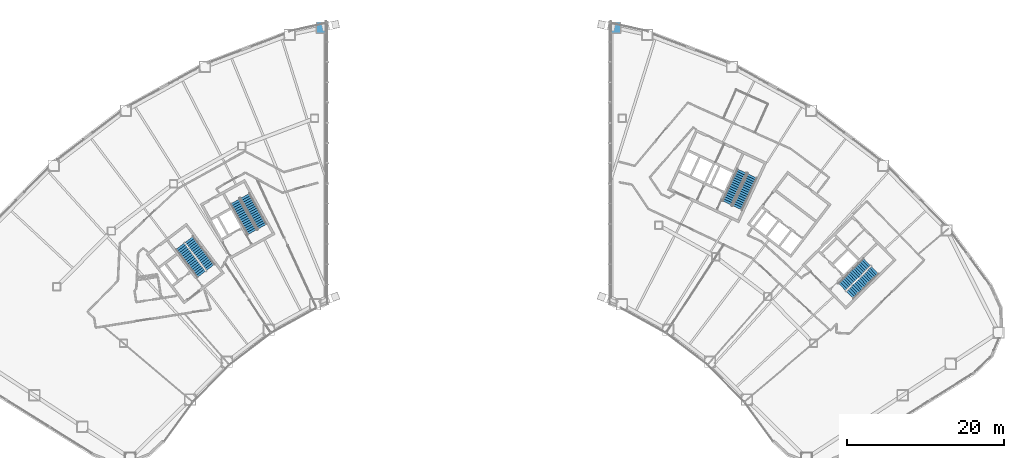
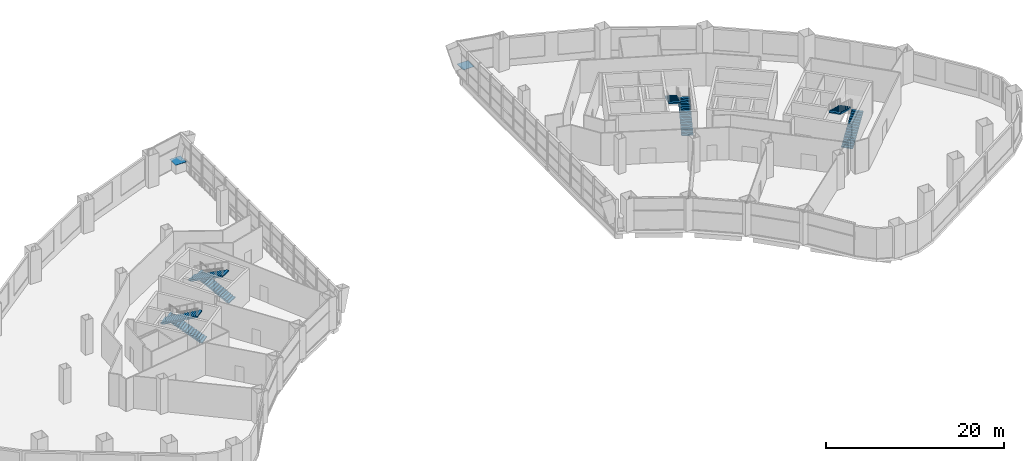
# One storey, part 24 of 26: 8 stair flights, 2 discrete accessories, 4 elements without a shape of their own.
"""IFC4 building model written with IfcOpenShell, lengths in metres."""

import ifcopenshell
import ifcopenshell.guid

model = None  # the IFC model being written
_history = None  # IfcOwnerHistory: only IFC2X3 demands one
_inside = {}  # id of a spatial element -> (the spatial element, [elements in it])
_under = {}  # id of a project, library or spatial element -> (it, [spatial elements below it])
_declared = {}  # id of a project -> (the project, [libraries it declares])
_typed = {}  # id of a type object -> (the type object, [elements of that type])
_made_of = {}  # id of a material, layer set ... -> (it, [elements and type objects made of it])


def new_model(schema):
    """Start an empty IFC model of exactly this schema.

    Asked for "IFC4X3", IfcOpenShell would pick the latest addendum, in which some entities
    have other attributes; the version numbers below select the first issue.
    IFC2X3 requires an IfcOwnerHistory on every rooted entity: one is made here for all.
    """
    global model, _history
    if schema == "IFC4X3":
        model = ifcopenshell.file(schema_version=(4, 3, 0, 0))
    else:
        model = ifcopenshell.file(schema=schema)
    _inside.clear()
    _under.clear()
    _declared.clear()
    _typed.clear()
    _made_of.clear()
    _history = None
    if model.schema == "IFC2X3":
        org = make("IfcOrganization", Name="unknown")
        user = make(
            "IfcPersonAndOrganization",
            ThePerson=make("IfcPerson", FamilyName="unknown"),
            TheOrganization=org,
        )
        app = make(
            "IfcApplication",
            ApplicationDeveloper=org,
            Version="unknown",
            ApplicationFullName="unknown",
            ApplicationIdentifier="unknown",
        )
        _history = make(
            "IfcOwnerHistory",
            OwningUser=user,
            OwningApplication=app,
            ChangeAction="ADDED",
            CreationDate=0,
        )
    return model


def make(cls, **values):
    """One entity of the class cls with the attributes given. An attribute that is None is left unset."""
    return model.create_entity(
        cls, **{name: value for name, value in values.items() if value is not None}
    )


def rooted(cls, **values):
    """An entity with a GlobalId (a new one), such as an element, a storey or a relation."""
    return make(cls, GlobalId=ifcopenshell.guid.new(), OwnerHistory=_history, **values)


def si_unit(unit_type, name, prefix=None):
    """IfcSIUnit, for example si_unit("LENGTHUNIT", "METRE", prefix="MILLI")."""
    return make("IfcSIUnit", UnitType=unit_type, Prefix=prefix, Name=name)


def assignment(units):
    """IfcUnitAssignment: the units of a project."""
    return None if units is None else make("IfcUnitAssignment", Units=units)


def point(xyz):
    """IfcCartesianPoint."""
    return None if xyz is None else make("IfcCartesianPoint", Coordinates=xyz)


def direction(xyz):
    """IfcDirection."""
    return None if xyz is None else make("IfcDirection", DirectionRatios=xyz)


def frame(location, z_axis=None, x_axis=None):
    """IfcAxis2Placement3D, a coordinate frame: its origin and axes. An axis left out is left unset."""
    return make(
        "IfcAxis2Placement3D",
        Location=point(location),
        Axis=direction(z_axis),
        RefDirection=direction(x_axis),
    )


def frame_2d(location, x_axis=None):
    """IfcAxis2Placement2D, a coordinate frame in the plane: its origin and x axis."""
    return make(
        "IfcAxis2Placement2D", Location=point(location), RefDirection=direction(x_axis)
    )


def origin():
    """The frame at (0, 0, 0) with its axes left unset."""
    return frame((0.0, 0.0, 0.0))


def origin_2d():
    """The frame at (0, 0) in the plane with its x axis left unset."""
    return frame_2d((0.0, 0.0))


def place(relative_to, where):
    """IfcLocalPlacement: puts the frame where relative to a parent placement (None: the world)."""
    return make(
        "IfcLocalPlacement", PlacementRelTo=relative_to, RelativePlacement=where
    )


def context(
    kind, dimensions, precision=None, world=None, true_north=None, identifier=None
):
    """IfcGeometricRepresentationContext, for example the 3D "Model" context."""
    return make(
        "IfcGeometricRepresentationContext",
        ContextIdentifier=identifier,
        ContextType=kind,
        CoordinateSpaceDimension=dimensions,
        Precision=precision,
        WorldCoordinateSystem=world,
        TrueNorth=true_north,
    )


def subcontext(parent, identifier, kind, view, scale=None):
    """IfcGeometricRepresentationSubContext, for example "Body" below "Model"."""
    return make(
        "IfcGeometricRepresentationSubContext",
        ContextIdentifier=identifier,
        ContextType=kind,
        ParentContext=parent,
        TargetScale=scale,
        TargetView=view,
    )


def project(units=None, contexts=None):
    """IfcProject with its units and contexts."""
    return rooted(
        "IfcProject",
        Name="project",
        RepresentationContexts=contexts,
        UnitsInContext=assignment(units),
    )


def spatial(cls, under=None, at=None, **own):
    """A site, building, storey or space (cls), placed at a placement, below another one or the project."""
    s = rooted(cls, ObjectPlacement=at, **own)
    if under is not None:
        _under.setdefault(under.id(), (under, []))[1].append(s)
    return s


def polyline(points):
    """IfcPolyline through the points."""
    return make("IfcPolyline", Points=[point(p) for p in points])


def profile(cls, at=None, kind="AREA", **sizes):
    """A parametric profile (cls). Its sizes go by their IFC names, for example OverallWidth=200.0."""
    return make(cls, ProfileType=kind, Position=at, **sizes)


def rectangle(**sizes):
    """IfcRectangleProfileDef."""
    return profile("IfcRectangleProfileDef", **sizes)


def outline(outer, holes=None, kind="AREA"):
    """IfcArbitraryClosedProfileDef: a profile drawn as a closed curve; with holes, ...WithVoids."""
    if holes is None:
        return make("IfcArbitraryClosedProfileDef", ProfileType=kind, OuterCurve=outer)
    return make(
        "IfcArbitraryProfileDefWithVoids",
        ProfileType=kind,
        OuterCurve=outer,
        InnerCurves=holes,
    )


def extrude(swept, where, along, depth):
    """IfcExtrudedAreaSolid: the profile swept, set in the frame where, extruded along a direction by depth."""
    return make(
        "IfcExtrudedAreaSolid",
        SweptArea=swept,
        Position=where,
        ExtrudedDirection=direction(along),
        Depth=depth,
    )


def shape(context_of_items, identifier, shape_type, items):
    """IfcShapeRepresentation: the items that make up one representation, for example the "Body"."""
    return make(
        "IfcShapeRepresentation",
        ContextOfItems=context_of_items,
        RepresentationIdentifier=identifier,
        RepresentationType=shape_type,
        Items=items,
    )


def material(Name=None, Category=None):
    """IfcMaterial."""
    return make("IfcMaterial", Name=Name, Category=Category)


def made_of(thing, what):
    """Note that an element or type object is made of a material, layer set ...; save() writes the relation."""
    if what is not None:
        _made_of.setdefault(what.id(), (what, []))[1].append(thing)
    return thing


def type_object(cls, material=None, **own):
    """A type object (cls), such as IfcWallType, which elements share."""
    return made_of(rooted(cls, **own), material)


def element(
    cls,
    number,
    at=None,
    inside=None,
    cuts=None,
    type_object=None,
    material=None,
    context=None,
    identifier="Body",
    shape_type=None,
    held_by="IfcProductDefinitionShape",
    body=None,
    shapes=None,
    **own,
):
    """One element of the class cls, such as IfcWall. Its Tag is "e" and its number.

    at: its placement. inside: the storey or other place that contains it. cuts: it is an
    opening in that element (IfcRelVoidsElement). A single representation is given by context,
    identifier, shape_type and body (its items); several are given by shapes. held_by: the class
    of the entity that holds the representations. save() writes the other relations.
    """
    e = rooted(cls, Tag="e%d" % number, ObjectPlacement=at, **own)
    if body is not None:
        shapes = [shape(context, identifier, shape_type, body)]
    if shapes is not None:
        e.Representation = make(held_by, Representations=shapes)
    if inside is not None:
        _inside.setdefault(inside.id(), (inside, []))[1].append(e)
    if cuts is not None:
        rooted(
            "IfcRelVoidsElement", RelatingBuildingElement=cuts, RelatedOpeningElement=e
        )
    if type_object is not None:
        _typed.setdefault(type_object.id(), (type_object, []))[1].append(e)
    return made_of(e, material)


def aggregate(whole, parts):
    """IfcRelAggregates: a whole, such as a stair, and the parts it consists of."""
    return rooted("IfcRelAggregates", RelatingObject=whole, RelatedObjects=parts)


def save(model, path):
    """Write the relations noted so far, then the file.

    IfcRelAggregates (storeys below a building ...), IfcRelContainedInSpatialStructure (elements
    in a storey), IfcRelDefinesByType, IfcRelAssociatesMaterial and IfcRelDeclares: one each for
    every whole, place, type object, material and project.
    """
    for whole, parts in _under.values():
        aggregate(whole, parts)
    for where, things in _inside.values():
        rooted(
            "IfcRelContainedInSpatialStructure",
            RelatedElements=things,
            RelatingStructure=where,
        )
    for kind, things in _typed.values():
        rooted("IfcRelDefinesByType", RelatedObjects=things, RelatingType=kind)
    for what, things in _made_of.values():
        rooted("IfcRelAssociatesMaterial", RelatedObjects=things, RelatingMaterial=what)
    for by, libraries in _declared.values():
        rooted("IfcRelDeclares", RelatingContext=by, RelatedDefinitions=libraries)
    model.write(path)


model = new_model("IFC4")

# Units and contexts
model_context = context("Model", 3, precision=1e-05, world=origin(), true_north=direction((0.0, 1.0)))
body_context = subcontext(model_context, "Body", "Model", "MODEL_VIEW")
ifc_project = project(units=[si_unit("LENGTHUNIT", "METRE"), si_unit("AREAUNIT", "SQUARE_METRE"), si_unit("VOLUMEUNIT", "CUBIC_METRE"), si_unit("PLANEANGLEUNIT", "RADIAN"), si_unit("MASSUNIT", "GRAM", prefix="KILO")], contexts=[model_context])

# Site, building, storey
site_placement = place(None, origin())
site = spatial("IfcSite", under=ifc_project, at=site_placement, CompositionType="ELEMENT")
building_placement = place(site_placement, origin())
building = spatial("IfcBuilding", under=site, at=building_placement, Name="Tuul Gate Civic Tower", CompositionType="ELEMENT")
storey_placement = place(building_placement, frame((0.0, 0.0, 7.5)))
storey = spatial("IfcBuildingStorey", under=building, at=storey_placement, Name="Level 01", CompositionType="ELEMENT", Elevation=7.5)

# Stair, stair flights
ifc_material_1 = material(Name="Concrete C40/50", Category="concrete")
stair_type = type_object("IfcStairType", Name="Exit stair", PredefinedType="HALF_TURN_STAIR", material=ifc_material_1)
stair_1_placement = place(storey_placement, origin())
stair_1 = element("IfcStair", 1, at=stair_1_placement, inside=storey, type_object=stair_type, Name="Level 01 ST-1", PredefinedType="HALF_TURN_STAIR")
ifc_material_2 = material(Name="Concrete C40/50", Category="concrete")
stair_flight_type = type_object("IfcStairFlightType", Name="Exit stair flight", PredefinedType="STRAIGHT", material=ifc_material_2)
stair_flight_1_placement = place(storey_placement, frame((-32.875244140625, -13.066650390625, 0.0), z_axis=(0.0, 0.0, 1.0), x_axis=(-0.605764474941, 0.795644016442, 0.0)))
stair_flight_1 = element("IfcStairFlight", 2, at=stair_flight_1_placement, type_object=stair_flight_type, Name="ST-1 flight 1", NumberOfRisers=16, NumberOfTreads=15, PredefinedType="STRAIGHT", RiserHeight=0.15, TreadLength=0.3, context=body_context, shape_type="SweptSolid", body=[
    extrude(outline(polyline([(0.0, 0.0), (0.0, 0.14990234375), (0.300048828125, 0.14990234375), (0.300048828125, 0.300048828125), (0.60009765625, 0.300048828125), (0.60009765625, 0.449951171875), (0.89990234375, 0.449951171875), (0.89990234375, 0.60009765625), (1.199951171875, 0.60009765625), (1.199951171875, 0.75), (1.5, 0.75), (1.5, 0.89990234375), (1.800048828125, 0.89990234375), (1.800048828125, 1.050048828125), (2.10009765625, 1.050048828125), (2.10009765625, 1.199951171875), (2.39990234375, 1.199951171875), (2.39990234375, 1.35009765625), (2.699951171875, 1.35009765625), (2.699951171875, 1.5), (3.0, 1.5), (3.0, 1.64990234375), (3.300048828125, 1.64990234375), (3.300048828125, 1.800048828125), (3.60009765625, 1.800048828125), (3.60009765625, 1.949951171875), (3.89990234375, 1.949951171875), (3.89990234375, 2.10009765625), (4.199951171875, 2.10009765625), (4.199951171875, 2.25), (4.5, 2.25), (4.5, 2.39990234375), (4.5, 2.08251953125), (0.335205078125, 0.0), (0.0, 0.0)])), frame((0.0, 0.675048828125, 0.0), z_axis=(0.0, -1.0, 0.0), x_axis=(1.0, 0.0, 0.0)), (0.0, 0.0, 1.0), 1.35009765625),
])
stair_flight_2_placement = place(storey_placement, frame((-36.7548828125, -10.36474609375, 2.39990234375), z_axis=(0.0, 0.0, 1.0), x_axis=(0.605764474941, -0.795644016442, 0.0)))
stair_flight_2 = element("IfcStairFlight", 3, at=stair_flight_2_placement, type_object=stair_flight_type, Name="ST-1 flight 2", NumberOfRisers=16, NumberOfTreads=15, PredefinedType="STRAIGHT", RiserHeight=0.15, TreadLength=0.3, context=body_context, shape_type="SweptSolid", body=[
    extrude(outline(polyline([(0.0, 0.0), (0.0, 0.14990234375), (0.300048828125, 0.14990234375), (0.300048828125, 0.300048828125), (0.60009765625, 0.300048828125), (0.60009765625, 0.449951171875), (0.89990234375, 0.449951171875), (0.89990234375, 0.60009765625), (1.199951171875, 0.60009765625), (1.199951171875, 0.75), (1.5, 0.75), (1.5, 0.89990234375), (1.800048828125, 0.89990234375), (1.800048828125, 1.050048828125), (2.10009765625, 1.050048828125), (2.10009765625, 1.199951171875), (2.39990234375, 1.199951171875), (2.39990234375, 1.35009765625), (2.699951171875, 1.35009765625), (2.699951171875, 1.5), (3.0, 1.5), (3.0, 1.64990234375), (3.300048828125, 1.64990234375), (3.300048828125, 1.800048828125), (3.60009765625, 1.800048828125), (3.60009765625, 1.949951171875), (3.89990234375, 1.949951171875), (3.89990234375, 2.10009765625), (4.199951171875, 2.10009765625), (4.199951171875, 2.25), (4.5, 2.25), (4.5, 2.39990234375), (4.5, 2.08251953125), (0.335205078125, 0.0), (0.0, 0.0)])), frame((0.0, 0.675048828125, 0.0), z_axis=(0.0, -1.0, 0.0), x_axis=(1.0, 0.0, 0.0)), (0.0, 0.0, 1.0), 1.35009765625),
])
aggregate(stair_1, [stair_flight_1, stair_flight_2])

stair_2_placement = place(storey_placement, origin())
stair_2 = element("IfcStair", 4, at=stair_2_placement, inside=storey, type_object=stair_type, Name="Level 01 ST-2", PredefinedType="HALF_TURN_STAIR")
stair_flight_3_placement = place(storey_placement, frame((-26.29150390625, -7.87646484375, 0.0), z_axis=(0.0, 0.0, 1.0), x_axis=(-0.484761763766, 0.874646232708, 0.0)))
stair_flight_3 = element("IfcStairFlight", 5, at=stair_flight_3_placement, type_object=stair_flight_type, Name="ST-2 flight 1", NumberOfRisers=16, NumberOfTreads=15, PredefinedType="STRAIGHT", RiserHeight=0.15, TreadLength=0.3, context=body_context, shape_type="SweptSolid", body=[
    extrude(outline(polyline([(0.0, 0.0), (0.0, 0.14990234375), (0.300048828125, 0.14990234375), (0.300048828125, 0.300048828125), (0.60009765625, 0.300048828125), (0.60009765625, 0.449951171875), (0.89990234375, 0.449951171875), (0.89990234375, 0.60009765625), (1.199951171875, 0.60009765625), (1.199951171875, 0.75), (1.5, 0.75), (1.5, 0.89990234375), (1.800048828125, 0.89990234375), (1.800048828125, 1.050048828125), (2.10009765625, 1.050048828125), (2.10009765625, 1.199951171875), (2.39990234375, 1.199951171875), (2.39990234375, 1.35009765625), (2.699951171875, 1.35009765625), (2.699951171875, 1.5), (3.0, 1.5), (3.0, 1.64990234375), (3.300048828125, 1.64990234375), (3.300048828125, 1.800048828125), (3.60009765625, 1.800048828125), (3.60009765625, 1.949951171875), (3.89990234375, 1.949951171875), (3.89990234375, 2.10009765625), (4.199951171875, 2.10009765625), (4.199951171875, 2.25), (4.5, 2.25), (4.5, 2.39990234375), (4.5, 2.08251953125), (0.335205078125, 0.0), (0.0, 0.0)])), frame((0.0, 0.675048828125, 0.0), z_axis=(0.0, -1.0, 0.0), x_axis=(1.0, 0.0, 0.0)), (0.0, 0.0, 1.0), 1.35009765625),
])
stair_flight_4_placement = place(storey_placement, frame((-29.7412109375, -4.6435546875, 2.39990234375), z_axis=(0.0, 0.0, 1.0), x_axis=(0.484761763766, -0.874646232708, 0.0)))
stair_flight_4 = element("IfcStairFlight", 6, at=stair_flight_4_placement, type_object=stair_flight_type, Name="ST-2 flight 2", NumberOfRisers=16, NumberOfTreads=15, PredefinedType="STRAIGHT", RiserHeight=0.15, TreadLength=0.3, context=body_context, shape_type="SweptSolid", body=[
    extrude(outline(polyline([(0.0, 0.0), (0.0, 0.14990234375), (0.300048828125, 0.14990234375), (0.300048828125, 0.300048828125), (0.60009765625, 0.300048828125), (0.60009765625, 0.449951171875), (0.89990234375, 0.449951171875), (0.89990234375, 0.60009765625), (1.199951171875, 0.60009765625), (1.199951171875, 0.75), (1.5, 0.75), (1.5, 0.89990234375), (1.800048828125, 0.89990234375), (1.800048828125, 1.050048828125), (2.10009765625, 1.050048828125), (2.10009765625, 1.199951171875), (2.39990234375, 1.199951171875), (2.39990234375, 1.35009765625), (2.699951171875, 1.35009765625), (2.699951171875, 1.5), (3.0, 1.5), (3.0, 1.64990234375), (3.300048828125, 1.64990234375), (3.300048828125, 1.800048828125), (3.60009765625, 1.800048828125), (3.60009765625, 1.949951171875), (3.89990234375, 1.949951171875), (3.89990234375, 2.10009765625), (4.199951171875, 2.10009765625), (4.199951171875, 2.25), (4.5, 2.25), (4.5, 2.39990234375), (4.5, 2.08251953125), (0.335205078125, 0.0), (0.0, 0.0)])), frame((0.0, 0.675048828125, 0.0), z_axis=(0.0, -1.0, 0.0), x_axis=(1.0, 0.0, 0.0)), (0.0, 0.0, 1.0), 1.35009765625),
])
aggregate(stair_2, [stair_flight_3, stair_flight_4])

stair_3_placement = place(storey_placement, origin())
stair_3 = element("IfcStair", 7, at=stair_3_placement, inside=storey, type_object=stair_type, Name="Level 01 ST-3", PredefinedType="HALF_TURN_STAIR")
stair_flight_5_placement = place(storey_placement, frame((48.61376953125, -16.581787109375, 0.0), z_axis=(0.0, 0.0, 1.0), x_axis=(0.714127290059, 0.700015866672, 0.0)))
stair_flight_5 = element("IfcStairFlight", 8, at=stair_flight_5_placement, type_object=stair_flight_type, Name="ST-3 flight 1", NumberOfRisers=16, NumberOfTreads=15, PredefinedType="STRAIGHT", RiserHeight=0.15, TreadLength=0.3, context=body_context, shape_type="SweptSolid", body=[
    extrude(outline(polyline([(0.0, 0.0), (0.0, 0.14990234375), (0.300048828125, 0.14990234375), (0.300048828125, 0.300048828125), (0.60009765625, 0.300048828125), (0.60009765625, 0.449951171875), (0.89990234375, 0.449951171875), (0.89990234375, 0.60009765625), (1.199951171875, 0.60009765625), (1.199951171875, 0.75), (1.5, 0.75), (1.5, 0.89990234375), (1.800048828125, 0.89990234375), (1.800048828125, 1.050048828125), (2.10009765625, 1.050048828125), (2.10009765625, 1.199951171875), (2.39990234375, 1.199951171875), (2.39990234375, 1.35009765625), (2.699951171875, 1.35009765625), (2.699951171875, 1.5), (3.0, 1.5), (3.0, 1.64990234375), (3.300048828125, 1.64990234375), (3.300048828125, 1.800048828125), (3.60009765625, 1.800048828125), (3.60009765625, 1.949951171875), (3.89990234375, 1.949951171875), (3.89990234375, 2.10009765625), (4.199951171875, 2.10009765625), (4.199951171875, 2.25), (4.5, 2.25), (4.5, 2.39990234375), (4.5, 2.08251953125), (0.335205078125, 0.0), (0.0, 0.0)])), frame((0.0, 0.675048828125, 0.0), z_axis=(0.0, -1.0, 0.0), x_axis=(1.0, 0.0, 0.0)), (0.0, 0.0, 1.0), 1.35009765625),
])
stair_flight_6_placement = place(storey_placement, frame((50.812255859375, -12.396240234375, 2.39990234375), z_axis=(0.0, 0.0, 1.0), x_axis=(-0.714127290059, -0.700015866672, 0.0)))
stair_flight_6 = element("IfcStairFlight", 9, at=stair_flight_6_placement, type_object=stair_flight_type, Name="ST-3 flight 2", NumberOfRisers=16, NumberOfTreads=15, PredefinedType="STRAIGHT", RiserHeight=0.15, TreadLength=0.3, context=body_context, shape_type="SweptSolid", body=[
    extrude(outline(polyline([(0.0, 0.0), (0.0, 0.14990234375), (0.300048828125, 0.14990234375), (0.300048828125, 0.300048828125), (0.60009765625, 0.300048828125), (0.60009765625, 0.449951171875), (0.89990234375, 0.449951171875), (0.89990234375, 0.60009765625), (1.199951171875, 0.60009765625), (1.199951171875, 0.75), (1.5, 0.75), (1.5, 0.89990234375), (1.800048828125, 0.89990234375), (1.800048828125, 1.050048828125), (2.10009765625, 1.050048828125), (2.10009765625, 1.199951171875), (2.39990234375, 1.199951171875), (2.39990234375, 1.35009765625), (2.699951171875, 1.35009765625), (2.699951171875, 1.5), (3.0, 1.5), (3.0, 1.64990234375), (3.300048828125, 1.64990234375), (3.300048828125, 1.800048828125), (3.60009765625, 1.800048828125), (3.60009765625, 1.949951171875), (3.89990234375, 1.949951171875), (3.89990234375, 2.10009765625), (4.199951171875, 2.10009765625), (4.199951171875, 2.25), (4.5, 2.25), (4.5, 2.39990234375), (4.5, 2.08251953125), (0.335205078125, 0.0), (0.0, 0.0)])), frame((0.0, 0.675048828125, 0.0), z_axis=(0.0, -1.0, 0.0), x_axis=(1.0, 0.0, 0.0)), (0.0, 0.0, 1.0), 1.35009765625),
])
aggregate(stair_3, [stair_flight_5, stair_flight_6])

stair_4_placement = place(storey_placement, origin())
stair_4 = element("IfcStair", 10, at=stair_4_placement, inside=storey, type_object=stair_type, Name="Level 01 ST-4", PredefinedType="HALF_TURN_STAIR")
stair_flight_7_placement = place(storey_placement, frame((34.278564453125, -5.478515625, 0.0), z_axis=(0.0, 0.0, 1.0), x_axis=(0.422576295988, 0.906327354806, 0.0)))
stair_flight_7 = element("IfcStairFlight", 11, at=stair_flight_7_placement, type_object=stair_flight_type, Name="ST-4 flight 1", NumberOfRisers=16, NumberOfTreads=15, PredefinedType="STRAIGHT", RiserHeight=0.15, TreadLength=0.3, context=body_context, shape_type="SweptSolid", body=[
    extrude(outline(polyline([(0.0, 0.0), (0.0, 0.14990234375), (0.300048828125, 0.14990234375), (0.300048828125, 0.300048828125), (0.60009765625, 0.300048828125), (0.60009765625, 0.449951171875), (0.89990234375, 0.449951171875), (0.89990234375, 0.60009765625), (1.199951171875, 0.60009765625), (1.199951171875, 0.75), (1.5, 0.75), (1.5, 0.89990234375), (1.800048828125, 0.89990234375), (1.800048828125, 1.050048828125), (2.10009765625, 1.050048828125), (2.10009765625, 1.199951171875), (2.39990234375, 1.199951171875), (2.39990234375, 1.35009765625), (2.699951171875, 1.35009765625), (2.699951171875, 1.5), (3.0, 1.5), (3.0, 1.64990234375), (3.300048828125, 1.64990234375), (3.300048828125, 1.800048828125), (3.60009765625, 1.800048828125), (3.60009765625, 1.949951171875), (3.89990234375, 1.949951171875), (3.89990234375, 2.10009765625), (4.199951171875, 2.10009765625), (4.199951171875, 2.25), (4.5, 2.25), (4.5, 2.39990234375), (4.5, 2.08251953125), (0.335205078125, 0.0), (0.0, 0.0)])), frame((0.0, 0.675048828125, 0.0), z_axis=(0.0, -1.0, 0.0), x_axis=(1.0, 0.0, 0.0)), (0.0, 0.0, 1.0), 1.35009765625),
])
stair_flight_8_placement = place(storey_placement, frame((34.865966796875, -0.787353515625, 2.39990234375), z_axis=(0.0, 0.0, 1.0), x_axis=(-0.422576295988, -0.906327354806, 0.0)))
stair_flight_8 = element("IfcStairFlight", 12, at=stair_flight_8_placement, type_object=stair_flight_type, Name="ST-4 flight 2", NumberOfRisers=16, NumberOfTreads=15, PredefinedType="STRAIGHT", RiserHeight=0.15, TreadLength=0.3, context=body_context, shape_type="SweptSolid", body=[
    extrude(outline(polyline([(0.0, 0.0), (0.0, 0.14990234375), (0.300048828125, 0.14990234375), (0.300048828125, 0.300048828125), (0.60009765625, 0.300048828125), (0.60009765625, 0.449951171875), (0.89990234375, 0.449951171875), (0.89990234375, 0.60009765625), (1.199951171875, 0.60009765625), (1.199951171875, 0.75), (1.5, 0.75), (1.5, 0.89990234375), (1.800048828125, 0.89990234375), (1.800048828125, 1.050048828125), (2.10009765625, 1.050048828125), (2.10009765625, 1.199951171875), (2.39990234375, 1.199951171875), (2.39990234375, 1.35009765625), (2.699951171875, 1.35009765625), (2.699951171875, 1.5), (3.0, 1.5), (3.0, 1.64990234375), (3.300048828125, 1.64990234375), (3.300048828125, 1.800048828125), (3.60009765625, 1.800048828125), (3.60009765625, 1.949951171875), (3.89990234375, 1.949951171875), (3.89990234375, 2.10009765625), (4.199951171875, 2.10009765625), (4.199951171875, 2.25), (4.5, 2.25), (4.5, 2.39990234375), (4.5, 2.08251953125), (0.335205078125, 0.0), (0.0, 0.0)])), frame((0.0, 0.675048828125, 0.0), z_axis=(0.0, -1.0, 0.0), x_axis=(1.0, 0.0, 0.0)), (0.0, 0.0, 1.0), 1.35009765625),
])
aggregate(stair_4, [stair_flight_7, stair_flight_8])

# Discrete accessories
ifc_material_3 = material(Name="Steel S355", Category="steel")
discrete_accessory_type = type_object("IfcDiscreteAccessoryType", Name="End cap plate", PredefinedType="BRACKET", material=ifc_material_3)
for number, where, z_axis, x_axis, name in (
    (13, (-18.699951171875, 17.496826171875, 1.2001953125), (0.0, 0.0, 1.0), (1.0, 0.0, 0.0), "End cap plate"),
    (14, (18.699951171875, 17.496826171875, 1.2001953125), (0.0, 0.0, 1.0), (1.0, 0.0, 0.0), "End cap plate"),
):
    element("IfcDiscreteAccessory", number, at=place(storey_placement, frame(where, z_axis=z_axis, x_axis=x_axis)), inside=storey, type_object=discrete_accessory_type, Name=name, PredefinedType="BRACKET", context=body_context, shape_type="SweptSolid", body=[
        extrude(rectangle(XDim=1.39990234375, YDim=1.39990234375, at=origin_2d()), origin(), (0.0, 0.0, 1.0), 0.030029296875),
    ])

save(model, "model.ifc")
